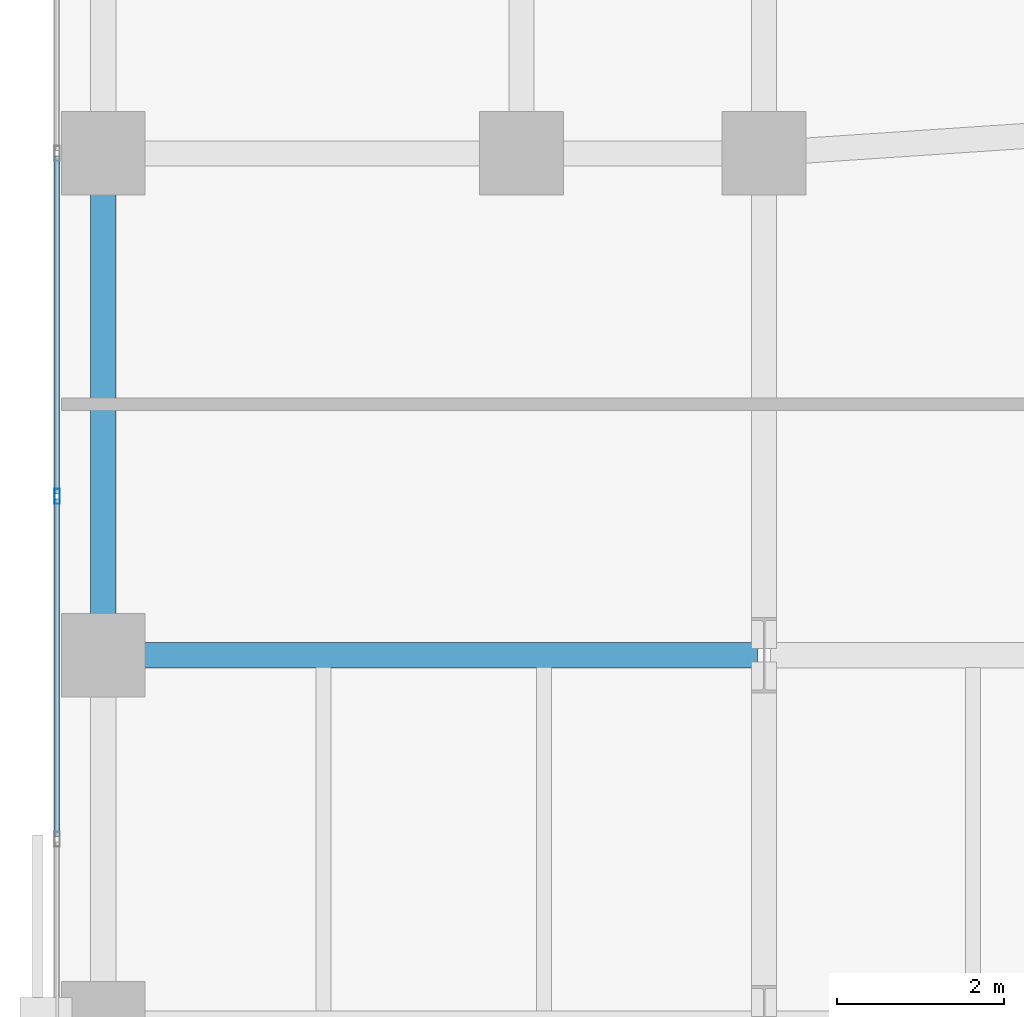
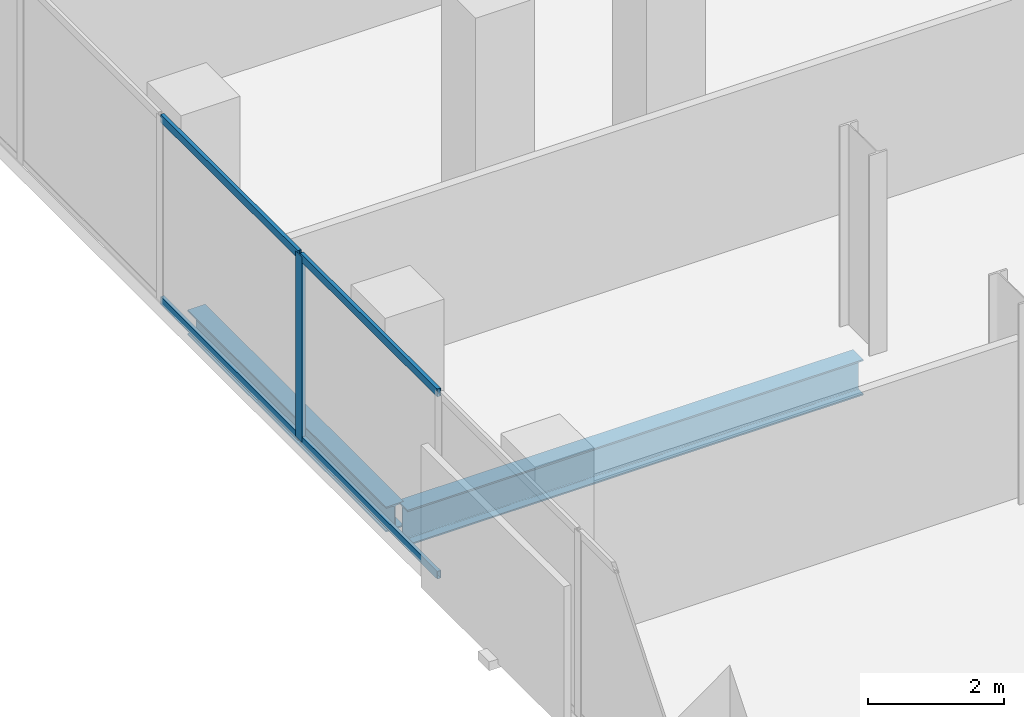
# One storey, part 8 of 31: 5 members, 2 beams, 1 element without a shape of its own.
"""IFC4 building model written with IfcOpenShell, lengths in metres."""

from ifc_helpers import new_model, si_unit, direction, frame, origin, origin_2d, place, context, subcontext, project, spatial, hollow_rectangle, i_section, extrude, material, layer, layer_set, material_profile, profile_set, type_object, element, aggregate, save


model = new_model("IFC4")

# Units and contexts
model_context = context("Model", 3, precision=1e-05, world=origin(), true_north=direction((0.0, 1.0)))
body_context = subcontext(model_context, "Body", "Model", "MODEL_VIEW")
ifc_project = project(units=[si_unit("LENGTHUNIT", "METRE"), si_unit("AREAUNIT", "SQUARE_METRE"), si_unit("VOLUMEUNIT", "CUBIC_METRE"), si_unit("PLANEANGLEUNIT", "RADIAN"), si_unit("MASSUNIT", "GRAM", prefix="KILO")], contexts=[model_context])

# Site, building, storey
site_placement = place(None, origin())
site = spatial("IfcSite", under=ifc_project, at=site_placement, CompositionType="ELEMENT")
building_placement = place(site_placement, origin())
building = spatial("IfcBuilding", under=site, at=building_placement, Name="Catumbela Crestline Tower", CompositionType="ELEMENT")
storey_placement = place(building_placement, frame((0.0, 0.0, 36.6)))
storey = spatial("IfcBuildingStorey", under=building, at=storey_placement, Name="L08", CompositionType="ELEMENT", Elevation=36.6)

# Beam
ifc_material_1 = material(Name="Structural steel S355J2", Category="steel")
ifc_material_profile_1 = material_profile(ifc_material_1, i_section(OverallWidth=0.3, OverallDepth=0.64, WebThickness=0.0135, FlangeThickness=0.026, FilletRadius=0.027, at=origin_2d()), Name="HEA 650")
ifc_profile_set_1 = profile_set([ifc_material_profile_1], Name="Structural steel S355J2")
beam_type_1 = type_object("IfcBeamType", Name="BG-HEA650", PredefinedType="BEAM", material=ifc_profile_set_1)
beam_1_placement = place(storey_placement, frame((0.68, 18.0, -0.58), z_axis=(1.0, 0.0, 0.0), x_axis=(0.0, 1.0, 0.0)))
element("IfcBeam", 1, at=beam_1_placement, inside=storey, type_object=beam_type_1, Name="L08 Beam BM-L08-WEW54", PredefinedType="BEAM", context=body_context, shape_type="SweptSolid", body=[
    extrude(i_section(OverallWidth=0.3, OverallDepth=0.64, WebThickness=0.0135, FlangeThickness=0.026, FilletRadius=0.027, at=origin_2d()), origin(), (0.0, 0.0, 1.0), 7.74),
])

# Curtain wall, member
ifc_material_2 = material(Name="Aluminium alloy AW-6060-T66", Category="aluminium")
ifc_layer = layer(ifc_material_2, 0.18, Name="Aluminium alloy AW-6060-T66")
ifc_layer_set = layer_set([ifc_layer], Name="Aluminium alloy AW-6060-T66")
curtain_wall_type = type_object("IfcCurtainWallType", Name="CWU-Z1", PredefinedType="USERDEFINED", material=ifc_layer_set)
curtain_wall_placement = place(storey_placement, origin())
curtain_wall = element("IfcCurtainWall", 2, at=curtain_wall_placement, inside=storey, type_object=curtain_wall_type, Name="L08 Unitised Curtain Wall CW-L08-E9S1", ObjectType="UNITISED", PredefinedType="USERDEFINED")
ifc_material_profile_2 = material_profile(ifc_material_2, hollow_rectangle(XDim=0.065, YDim=0.18, WallThickness=0.004, at=origin_2d()), Name="ALU 180x65x4")
ifc_profile_set_2 = profile_set([ifc_material_profile_2], Name="Aluminium alloy AW-6060-T66")
member_type_1 = type_object("IfcMemberType", Name="MUL-180X65", PredefinedType="MULLION", material=ifc_profile_set_2)
member_1_placement = place(storey_placement, frame((0.05, 19.9, 0.0), z_axis=(0.0, 0.0, 1.0), x_axis=(1.0, 0.0, 0.0)))
member_1 = element("IfcMember", 3, at=member_1_placement, type_object=member_type_1, Name="CWU-Z1 mullion 7", PredefinedType="MULLION", context=body_context, shape_type="SweptSolid", body=[
    extrude(hollow_rectangle(XDim=0.065, YDim=0.18, WallThickness=0.004, at=origin_2d()), origin(), (0.0, 0.0, 1.0), 3.33),
])

# Beam
ifc_material_profile_3 = material_profile(ifc_material_1, i_section(OverallWidth=0.3, OverallDepth=0.45, WebThickness=0.014, FlangeThickness=0.026, FilletRadius=0.027, at=origin_2d()), Name="HEB 450")
ifc_profile_set_3 = profile_set([ifc_material_profile_3], Name="Structural steel S355J2")
beam_type_2 = type_object("IfcBeamType", Name="BS-HEB450", PredefinedType="SPANDREL", material=ifc_profile_set_3)
beam_2_placement = place(storey_placement, frame((0.6, 18.08, -0.485), z_axis=(0.0, 1.0, 0.0), x_axis=(-1.0, 0.0, 0.0)))
element("IfcBeam", 4, at=beam_2_placement, inside=storey, type_object=beam_type_2, Name="L08 Spandrel SP-L08-WNS60", PredefinedType="SPANDREL", context=body_context, shape_type="SweptSolid", body=[
    extrude(i_section(OverallWidth=0.3, OverallDepth=0.45, WebThickness=0.014, FlangeThickness=0.026, FilletRadius=0.027, at=origin_2d()), origin(), (0.0, 0.0, 1.0), 5.84),
])

# Member
ifc_material_profile_4 = material_profile(ifc_material_2, hollow_rectangle(XDim=0.06, YDim=0.14, WallThickness=0.004, at=origin_2d()), Name="ALU 140x60x4")
ifc_profile_set_4 = profile_set([ifc_material_profile_4], Name="Aluminium alloy AW-6060-T66")
member_type_2 = type_object("IfcMemberType", Name="TRN-140X60", PredefinedType="USERDEFINED", material=ifc_profile_set_4)
member_2_placement = place(storey_placement, frame((0.05, 23.9675, 0.03), z_axis=(0.0, -1.0, 0.0), x_axis=(1.0, 0.0, 0.0)))
member_2 = element("IfcMember", 5, at=member_2_placement, type_object=member_type_2, Name="CWU-Z1 transom 6.1", ObjectType="TRANSOM", PredefinedType="USERDEFINED", context=body_context, shape_type="SweptSolid", body=[
    extrude(hollow_rectangle(XDim=0.06, YDim=0.14, WallThickness=0.004, at=origin_2d()), origin(), (0.0, 0.0, 1.0), 4.035),
])

member_3_placement = place(storey_placement, frame((0.05, 23.9675, 3.3), z_axis=(0.0, -1.0, 0.0), x_axis=(1.0, 0.0, 0.0)))
member_3 = element("IfcMember", 6, at=member_3_placement, type_object=member_type_2, Name="CWU-Z1 transom 6.2", ObjectType="TRANSOM", PredefinedType="USERDEFINED", context=body_context, shape_type="SweptSolid", body=[
    extrude(hollow_rectangle(XDim=0.06, YDim=0.14, WallThickness=0.004, at=origin_2d()), origin(), (0.0, 0.0, 1.0), 4.035),
])

member_4_placement = place(storey_placement, frame((0.05, 19.8675, 0.03), z_axis=(0.0, -1.0, 0.0), x_axis=(1.0, 0.0, 0.0)))
member_4 = element("IfcMember", 7, at=member_4_placement, type_object=member_type_2, Name="CWU-Z1 transom 7.1", ObjectType="TRANSOM", PredefinedType="USERDEFINED", context=body_context, shape_type="SweptSolid", body=[
    extrude(hollow_rectangle(XDim=0.06, YDim=0.14, WallThickness=0.004, at=origin_2d()), origin(), (0.0, 0.0, 1.0), 4.035),
])

member_5_placement = place(storey_placement, frame((0.05, 19.8675, 3.3), z_axis=(0.0, -1.0, 0.0), x_axis=(1.0, 0.0, 0.0)))
member_5 = element("IfcMember", 8, at=member_5_placement, type_object=member_type_2, Name="CWU-Z1 transom 7.2", ObjectType="TRANSOM", PredefinedType="USERDEFINED", context=body_context, shape_type="SweptSolid", body=[
    extrude(hollow_rectangle(XDim=0.06, YDim=0.14, WallThickness=0.004, at=origin_2d()), origin(), (0.0, 0.0, 1.0), 4.035),
])

aggregate(curtain_wall, [member_1, member_2, member_3, member_4, member_5])

save(model, "model.ifc")
